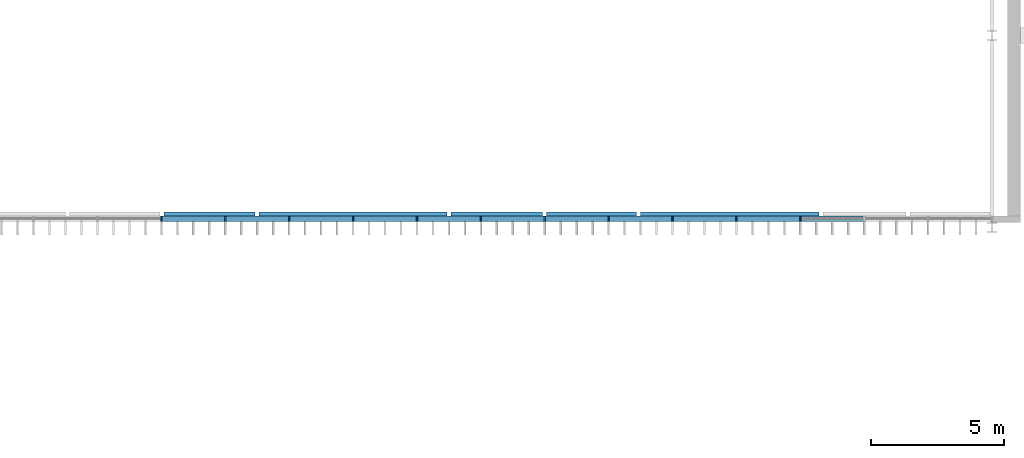
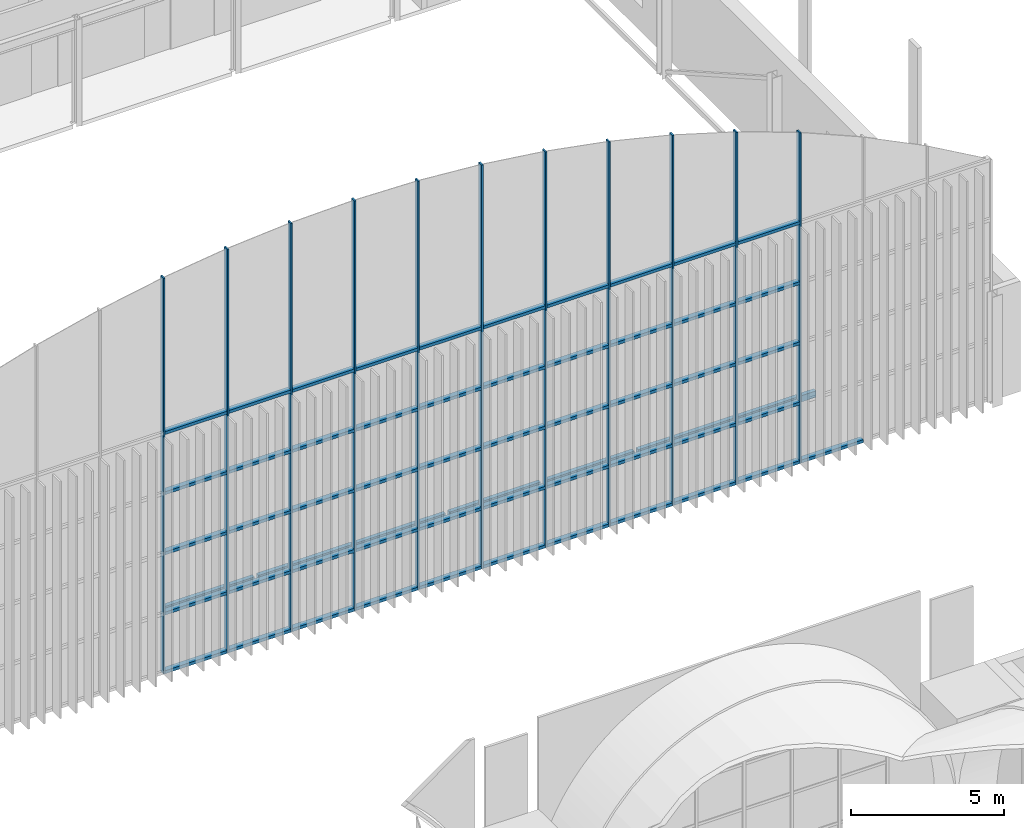
# One storey, part 57 of 169: 62 members, 5 beams, 1 element without a shape of its own.
"""IFC4 building model written with IfcOpenShell, lengths in metres."""

from ifc_helpers import new_model, si_unit, direction, frame, origin, origin_2d, place, context, subcontext, project, spatial, rectangle, hollow_rectangle, extrude, material, layer, layer_set, material_profile, profile_set, type_object, element, aggregate, save


model = new_model("IFC4")

# Units and contexts
model_context = context("Model", 3, precision=1e-05, world=origin(), true_north=direction((0.0, 1.0)))
body_context = subcontext(model_context, "Body", "Model", "MODEL_VIEW")
ifc_project = project(units=[si_unit("LENGTHUNIT", "METRE"), si_unit("AREAUNIT", "SQUARE_METRE"), si_unit("VOLUMEUNIT", "CUBIC_METRE"), si_unit("PLANEANGLEUNIT", "RADIAN"), si_unit("MASSUNIT", "GRAM", prefix="KILO")], contexts=[model_context])

# Site, building, storey
site_placement = place(None, origin())
site = spatial("IfcSite", under=ifc_project, at=site_placement, CompositionType="ELEMENT")
building_placement = place(site_placement, origin())
building = spatial("IfcBuilding", under=site, at=building_placement, Name="Verrick Yard Athletic Hall", CompositionType="ELEMENT")
storey_placement = place(building_placement, frame((0.0, 0.0, 4.39990234375)))
storey = spatial("IfcBuildingStorey", under=building, at=storey_placement, Name="L01", CompositionType="ELEMENT", Elevation=4.39990234375)

# Curtain wall, members
ifc_material_1 = material(Name="Anodised aluminium", Category="aluminium")
ifc_layer = layer(ifc_material_1, 0.199951171875)
ifc_layer_set = layer_set([ifc_layer], Name="Gable glazing")
curtain_wall_type = type_object("IfcCurtainWallType", Name="Gable glazing", PredefinedType="NOTDEFINED", material=ifc_layer_set)
curtain_wall_placement = place(storey_placement, origin())
curtain_wall = element("IfcCurtainWall", 1, at=curtain_wall_placement, inside=storey, type_object=curtain_wall_type, Name="Gable curtain wall AS", PredefinedType="NOTDEFINED")
ifc_material_profile_1 = material_profile(ifc_material_1, rectangle(XDim=0.199951171875, YDim=0.06005859375, at=origin_2d()), Name="CW gable mullion 60x200")
ifc_profile_set_1 = profile_set([ifc_material_profile_1], Name="Anodised aluminium")
member_type_1 = type_object("IfcMemberType", Name="Gable glazing mullion 60x200", PredefinedType="MULLION", material=ifc_profile_set_1)
member_1_placement = place(storey_placement, frame((138.39990234375, 72.318359375, 0.0), z_axis=(0.0, 0.0, 1.0), x_axis=(0.0, 1.0, 0.0)))
member_1 = element("IfcMember", 2, at=member_1_placement, type_object=member_type_1, Name="ENVB-HAS-CW/M07", PredefinedType="MULLION", context=body_context, shape_type="SweptSolid", body=[
    extrude(rectangle(XDim=0.199951171875, YDim=0.06005859375, at=origin_2d()), origin(), (0.0, 0.0, 1.0), 15.790283203125),
])
member_2_placement = place(storey_placement, frame((140.800048828125, 72.318359375, 0.0), z_axis=(0.0, 0.0, 1.0), x_axis=(0.0, 1.0, 0.0)))
member_2 = element("IfcMember", 3, at=member_2_placement, type_object=member_type_1, Name="ENVB-HAS-CW/M08", PredefinedType="MULLION", context=body_context, shape_type="SweptSolid", body=[
    extrude(rectangle(XDim=0.199951171875, YDim=0.06005859375, at=origin_2d()), origin(), (0.0, 0.0, 1.0), 16.106201171875),
])
member_3_placement = place(storey_placement, frame((143.199951171875, 72.318359375, 0.0), z_axis=(0.0, 0.0, 1.0), x_axis=(0.0, 1.0, 0.0)))
member_3 = element("IfcMember", 4, at=member_3_placement, type_object=member_type_1, Name="ENVB-HAS-CW/M09", PredefinedType="MULLION", context=body_context, shape_type="SweptSolid", body=[
    extrude(rectangle(XDim=0.199951171875, YDim=0.06005859375, at=origin_2d()), origin(), (0.0, 0.0, 1.0), 16.294677734375),
])
member_4_placement = place(storey_placement, frame((145.60009765625, 72.318359375, 0.0), z_axis=(0.0, 0.0, 1.0), x_axis=(0.0, 1.0, 0.0)))
member_4 = element("IfcMember", 5, at=member_4_placement, type_object=member_type_1, Name="ENVB-HAS-CW/M10", PredefinedType="MULLION", context=body_context, shape_type="SweptSolid", body=[
    extrude(rectangle(XDim=0.199951171875, YDim=0.06005859375, at=origin_2d()), origin(), (0.0, 0.0, 1.0), 16.357177734375),
])
member_5_placement = place(storey_placement, frame((148.0, 72.318359375, 0.0), z_axis=(0.0, 0.0, 1.0), x_axis=(0.0, 1.0, 0.0)))
member_5 = element("IfcMember", 6, at=member_5_placement, type_object=member_type_1, Name="ENVB-HAS-CW/M11", PredefinedType="MULLION", context=body_context, shape_type="SweptSolid", body=[
    extrude(rectangle(XDim=0.199951171875, YDim=0.06005859375, at=origin_2d()), origin(), (0.0, 0.0, 1.0), 16.294677734375),
])
member_6_placement = place(storey_placement, frame((150.39990234375, 72.318359375, 0.0), z_axis=(0.0, 0.0, 1.0), x_axis=(0.0, 1.0, 0.0)))
member_6 = element("IfcMember", 7, at=member_6_placement, type_object=member_type_1, Name="ENVB-HAS-CW/M12", PredefinedType="MULLION", context=body_context, shape_type="SweptSolid", body=[
    extrude(rectangle(XDim=0.199951171875, YDim=0.06005859375, at=origin_2d()), origin(), (0.0, 0.0, 1.0), 16.106201171875),
])
member_7_placement = place(storey_placement, frame((152.800048828125, 72.318359375, 0.0), z_axis=(0.0, 0.0, 1.0), x_axis=(0.0, 1.0, 0.0)))
member_7 = element("IfcMember", 8, at=member_7_placement, type_object=member_type_1, Name="ENVB-HAS-CW/M13", PredefinedType="MULLION", context=body_context, shape_type="SweptSolid", body=[
    extrude(rectangle(XDim=0.199951171875, YDim=0.06005859375, at=origin_2d()), origin(), (0.0, 0.0, 1.0), 15.790283203125),
])
member_8_placement = place(storey_placement, frame((155.199951171875, 72.318359375, 0.0), z_axis=(0.0, 0.0, 1.0), x_axis=(0.0, 1.0, 0.0)))
member_8 = element("IfcMember", 9, at=member_8_placement, type_object=member_type_1, Name="ENVB-HAS-CW/M14", PredefinedType="MULLION", context=body_context, shape_type="SweptSolid", body=[
    extrude(rectangle(XDim=0.199951171875, YDim=0.06005859375, at=origin_2d()), origin(), (0.0, 0.0, 1.0), 15.344482421875),
])
member_9_placement = place(storey_placement, frame((157.60009765625, 72.318359375, 0.0), z_axis=(0.0, 0.0, 1.0), x_axis=(0.0, 1.0, 0.0)))
member_9 = element("IfcMember", 10, at=member_9_placement, type_object=member_type_1, Name="ENVB-HAS-CW/M15", PredefinedType="MULLION", context=body_context, shape_type="SweptSolid", body=[
    extrude(rectangle(XDim=0.199951171875, YDim=0.06005859375, at=origin_2d()), origin(), (0.0, 0.0, 1.0), 14.764404296875),
])
member_10_placement = place(storey_placement, frame((160.0, 72.318359375, 0.0), z_axis=(0.0, 0.0, 1.0), x_axis=(0.0, 1.0, 0.0)))
member_10 = element("IfcMember", 11, at=member_10_placement, type_object=member_type_1, Name="ENVB-HAS-CW/M16", PredefinedType="MULLION", context=body_context, shape_type="SweptSolid", body=[
    extrude(rectangle(XDim=0.199951171875, YDim=0.06005859375, at=origin_2d()), origin(), (0.0, 0.0, 1.0), 14.045166015625),
])
member_11_placement = place(storey_placement, frame((162.39990234375, 72.318359375, 0.0), z_axis=(0.0, 0.0, 1.0), x_axis=(0.0, 1.0, 0.0)))
member_11 = element("IfcMember", 12, at=member_11_placement, type_object=member_type_1, Name="ENVB-HAS-CW/M17", PredefinedType="MULLION", context=body_context, shape_type="SweptSolid", body=[
    extrude(rectangle(XDim=0.199951171875, YDim=0.06005859375, at=origin_2d()), origin(), (0.0, 0.0, 1.0), 13.1796875),
])
ifc_material_profile_2 = material_profile(ifc_material_1, rectangle(XDim=0.199951171875, YDim=0.1201171875, at=origin_2d()), Name="CW gable transom 200x120")
ifc_profile_set_2 = profile_set([ifc_material_profile_2], Name="Anodised aluminium")
member_type_2 = type_object("IfcMemberType", Name="Gable glazing transom 200x120", PredefinedType="USERDEFINED", material=ifc_profile_set_2)
member_12_placement = place(storey_placement, frame((138.429931640625, 72.318359375, 0.06005859375), z_axis=(1.0, 0.0, 0.0), x_axis=(0.0, 1.0, 0.0)))
member_12 = element("IfcMember", 13, at=member_12_placement, type_object=member_type_2, Name="ENVB-HAS-CW/T07-00", ObjectType="TRANSOM", PredefinedType="USERDEFINED", context=body_context, shape_type="SweptSolid", body=[
    extrude(rectangle(XDim=0.199951171875, YDim=0.1201171875, at=origin_2d()), origin(), (0.0, 0.0, 1.0), 2.340087890625),
])
member_13_placement = place(storey_placement, frame((138.429931640625, 72.318359375, 2.400146484375), z_axis=(1.0, 0.0, 0.0), x_axis=(0.0, 1.0, 0.0)))
member_13 = element("IfcMember", 14, at=member_13_placement, type_object=member_type_2, Name="ENVB-HAS-CW/T07-01", ObjectType="TRANSOM", PredefinedType="USERDEFINED", context=body_context, shape_type="SweptSolid", body=[
    extrude(rectangle(XDim=0.199951171875, YDim=0.1201171875, at=origin_2d()), origin(), (0.0, 0.0, 1.0), 2.340087890625),
])
member_14_placement = place(storey_placement, frame((138.429931640625, 72.318359375, 4.800048828125), z_axis=(1.0, 0.0, 0.0), x_axis=(0.0, 1.0, 0.0)))
member_14 = element("IfcMember", 15, at=member_14_placement, type_object=member_type_2, Name="ENVB-HAS-CW/T07-02", ObjectType="TRANSOM", PredefinedType="USERDEFINED", context=body_context, shape_type="SweptSolid", body=[
    extrude(rectangle(XDim=0.199951171875, YDim=0.1201171875, at=origin_2d()), origin(), (0.0, 0.0, 1.0), 2.340087890625),
])
member_15_placement = place(storey_placement, frame((138.429931640625, 72.318359375, 7.2001953125), z_axis=(1.0, 0.0, 0.0), x_axis=(0.0, 1.0, 0.0)))
member_15 = element("IfcMember", 16, at=member_15_placement, type_object=member_type_2, Name="ENVB-HAS-CW/T07-03", ObjectType="TRANSOM", PredefinedType="USERDEFINED", context=body_context, shape_type="SweptSolid", body=[
    extrude(rectangle(XDim=0.199951171875, YDim=0.1201171875, at=origin_2d()), origin(), (0.0, 0.0, 1.0), 2.340087890625),
])
member_16_placement = place(storey_placement, frame((138.429931640625, 72.318359375, 9.60009765625), z_axis=(1.0, 0.0, 0.0), x_axis=(0.0, 1.0, 0.0)))
member_16 = element("IfcMember", 17, at=member_16_placement, type_object=member_type_2, Name="ENVB-HAS-CW/T07-04", ObjectType="TRANSOM", PredefinedType="USERDEFINED", context=body_context, shape_type="SweptSolid", body=[
    extrude(rectangle(XDim=0.199951171875, YDim=0.1201171875, at=origin_2d()), origin(), (0.0, 0.0, 1.0), 2.340087890625),
])
member_17_placement = place(storey_placement, frame((140.830078125, 72.318359375, 0.06005859375), z_axis=(1.0, 0.0, 0.0), x_axis=(0.0, 1.0, 0.0)))
member_17 = element("IfcMember", 18, at=member_17_placement, type_object=member_type_2, Name="ENVB-HAS-CW/T08-00", ObjectType="TRANSOM", PredefinedType="USERDEFINED", context=body_context, shape_type="SweptSolid", body=[
    extrude(rectangle(XDim=0.199951171875, YDim=0.1201171875, at=origin_2d()), origin(), (0.0, 0.0, 1.0), 2.33984375),
])
member_18_placement = place(storey_placement, frame((140.830078125, 72.318359375, 2.400146484375), z_axis=(1.0, 0.0, 0.0), x_axis=(0.0, 1.0, 0.0)))
member_18 = element("IfcMember", 19, at=member_18_placement, type_object=member_type_2, Name="ENVB-HAS-CW/T08-01", ObjectType="TRANSOM", PredefinedType="USERDEFINED", context=body_context, shape_type="SweptSolid", body=[
    extrude(rectangle(XDim=0.199951171875, YDim=0.1201171875, at=origin_2d()), origin(), (0.0, 0.0, 1.0), 2.33984375),
])
member_19_placement = place(storey_placement, frame((140.830078125, 72.318359375, 4.800048828125), z_axis=(1.0, 0.0, 0.0), x_axis=(0.0, 1.0, 0.0)))
member_19 = element("IfcMember", 20, at=member_19_placement, type_object=member_type_2, Name="ENVB-HAS-CW/T08-02", ObjectType="TRANSOM", PredefinedType="USERDEFINED", context=body_context, shape_type="SweptSolid", body=[
    extrude(rectangle(XDim=0.199951171875, YDim=0.1201171875, at=origin_2d()), origin(), (0.0, 0.0, 1.0), 2.33984375),
])
member_20_placement = place(storey_placement, frame((140.830078125, 72.318359375, 7.2001953125), z_axis=(1.0, 0.0, 0.0), x_axis=(0.0, 1.0, 0.0)))
member_20 = element("IfcMember", 21, at=member_20_placement, type_object=member_type_2, Name="ENVB-HAS-CW/T08-03", ObjectType="TRANSOM", PredefinedType="USERDEFINED", context=body_context, shape_type="SweptSolid", body=[
    extrude(rectangle(XDim=0.199951171875, YDim=0.1201171875, at=origin_2d()), origin(), (0.0, 0.0, 1.0), 2.33984375),
])
member_21_placement = place(storey_placement, frame((140.830078125, 72.318359375, 9.60009765625), z_axis=(1.0, 0.0, 0.0), x_axis=(0.0, 1.0, 0.0)))
member_21 = element("IfcMember", 22, at=member_21_placement, type_object=member_type_2, Name="ENVB-HAS-CW/T08-04", ObjectType="TRANSOM", PredefinedType="USERDEFINED", context=body_context, shape_type="SweptSolid", body=[
    extrude(rectangle(XDim=0.199951171875, YDim=0.1201171875, at=origin_2d()), origin(), (0.0, 0.0, 1.0), 2.33984375),
])
member_22_placement = place(storey_placement, frame((143.22998046875, 72.318359375, 0.06005859375), z_axis=(1.0, 0.0, 0.0), x_axis=(0.0, 1.0, 0.0)))
member_22 = element("IfcMember", 23, at=member_22_placement, type_object=member_type_2, Name="ENVB-HAS-CW/T09-00", ObjectType="TRANSOM", PredefinedType="USERDEFINED", context=body_context, shape_type="SweptSolid", body=[
    extrude(rectangle(XDim=0.199951171875, YDim=0.1201171875, at=origin_2d()), origin(), (0.0, 0.0, 1.0), 2.340087890625),
])
member_23_placement = place(storey_placement, frame((143.22998046875, 72.318359375, 2.400146484375), z_axis=(1.0, 0.0, 0.0), x_axis=(0.0, 1.0, 0.0)))
member_23 = element("IfcMember", 24, at=member_23_placement, type_object=member_type_2, Name="ENVB-HAS-CW/T09-01", ObjectType="TRANSOM", PredefinedType="USERDEFINED", context=body_context, shape_type="SweptSolid", body=[
    extrude(rectangle(XDim=0.199951171875, YDim=0.1201171875, at=origin_2d()), origin(), (0.0, 0.0, 1.0), 2.340087890625),
])
member_24_placement = place(storey_placement, frame((143.22998046875, 72.318359375, 4.800048828125), z_axis=(1.0, 0.0, 0.0), x_axis=(0.0, 1.0, 0.0)))
member_24 = element("IfcMember", 25, at=member_24_placement, type_object=member_type_2, Name="ENVB-HAS-CW/T09-02", ObjectType="TRANSOM", PredefinedType="USERDEFINED", context=body_context, shape_type="SweptSolid", body=[
    extrude(rectangle(XDim=0.199951171875, YDim=0.1201171875, at=origin_2d()), origin(), (0.0, 0.0, 1.0), 2.340087890625),
])
member_25_placement = place(storey_placement, frame((143.22998046875, 72.318359375, 7.2001953125), z_axis=(1.0, 0.0, 0.0), x_axis=(0.0, 1.0, 0.0)))
member_25 = element("IfcMember", 26, at=member_25_placement, type_object=member_type_2, Name="ENVB-HAS-CW/T09-03", ObjectType="TRANSOM", PredefinedType="USERDEFINED", context=body_context, shape_type="SweptSolid", body=[
    extrude(rectangle(XDim=0.199951171875, YDim=0.1201171875, at=origin_2d()), origin(), (0.0, 0.0, 1.0), 2.340087890625),
])
member_26_placement = place(storey_placement, frame((143.22998046875, 72.318359375, 9.60009765625), z_axis=(1.0, 0.0, 0.0), x_axis=(0.0, 1.0, 0.0)))
member_26 = element("IfcMember", 27, at=member_26_placement, type_object=member_type_2, Name="ENVB-HAS-CW/T09-04", ObjectType="TRANSOM", PredefinedType="USERDEFINED", context=body_context, shape_type="SweptSolid", body=[
    extrude(rectangle(XDim=0.199951171875, YDim=0.1201171875, at=origin_2d()), origin(), (0.0, 0.0, 1.0), 2.340087890625),
])
member_27_placement = place(storey_placement, frame((145.6298828125, 72.318359375, 0.06005859375), z_axis=(1.0, 0.0, 0.0), x_axis=(0.0, 1.0, 0.0)))
member_27 = element("IfcMember", 28, at=member_27_placement, type_object=member_type_2, Name="ENVB-HAS-CW/T10-00", ObjectType="TRANSOM", PredefinedType="USERDEFINED", context=body_context, shape_type="SweptSolid", body=[
    extrude(rectangle(XDim=0.199951171875, YDim=0.1201171875, at=origin_2d()), origin(), (0.0, 0.0, 1.0), 2.340087890625),
])
member_28_placement = place(storey_placement, frame((145.6298828125, 72.318359375, 2.400146484375), z_axis=(1.0, 0.0, 0.0), x_axis=(0.0, 1.0, 0.0)))
member_28 = element("IfcMember", 29, at=member_28_placement, type_object=member_type_2, Name="ENVB-HAS-CW/T10-01", ObjectType="TRANSOM", PredefinedType="USERDEFINED", context=body_context, shape_type="SweptSolid", body=[
    extrude(rectangle(XDim=0.199951171875, YDim=0.1201171875, at=origin_2d()), origin(), (0.0, 0.0, 1.0), 2.340087890625),
])
member_29_placement = place(storey_placement, frame((145.6298828125, 72.318359375, 4.800048828125), z_axis=(1.0, 0.0, 0.0), x_axis=(0.0, 1.0, 0.0)))
member_29 = element("IfcMember", 30, at=member_29_placement, type_object=member_type_2, Name="ENVB-HAS-CW/T10-02", ObjectType="TRANSOM", PredefinedType="USERDEFINED", context=body_context, shape_type="SweptSolid", body=[
    extrude(rectangle(XDim=0.199951171875, YDim=0.1201171875, at=origin_2d()), origin(), (0.0, 0.0, 1.0), 2.340087890625),
])
member_30_placement = place(storey_placement, frame((145.6298828125, 72.318359375, 7.2001953125), z_axis=(1.0, 0.0, 0.0), x_axis=(0.0, 1.0, 0.0)))
member_30 = element("IfcMember", 31, at=member_30_placement, type_object=member_type_2, Name="ENVB-HAS-CW/T10-03", ObjectType="TRANSOM", PredefinedType="USERDEFINED", context=body_context, shape_type="SweptSolid", body=[
    extrude(rectangle(XDim=0.199951171875, YDim=0.1201171875, at=origin_2d()), origin(), (0.0, 0.0, 1.0), 2.340087890625),
])
member_31_placement = place(storey_placement, frame((145.6298828125, 72.318359375, 9.60009765625), z_axis=(1.0, 0.0, 0.0), x_axis=(0.0, 1.0, 0.0)))
member_31 = element("IfcMember", 32, at=member_31_placement, type_object=member_type_2, Name="ENVB-HAS-CW/T10-04", ObjectType="TRANSOM", PredefinedType="USERDEFINED", context=body_context, shape_type="SweptSolid", body=[
    extrude(rectangle(XDim=0.199951171875, YDim=0.1201171875, at=origin_2d()), origin(), (0.0, 0.0, 1.0), 2.340087890625),
])
member_32_placement = place(storey_placement, frame((148.030029296875, 72.318359375, 0.06005859375), z_axis=(1.0, 0.0, 0.0), x_axis=(0.0, 1.0, 0.0)))
member_32 = element("IfcMember", 33, at=member_32_placement, type_object=member_type_2, Name="ENVB-HAS-CW/T11-00", ObjectType="TRANSOM", PredefinedType="USERDEFINED", context=body_context, shape_type="SweptSolid", body=[
    extrude(rectangle(XDim=0.199951171875, YDim=0.1201171875, at=origin_2d()), origin(), (0.0, 0.0, 1.0), 2.340087890625),
])
member_33_placement = place(storey_placement, frame((148.030029296875, 72.318359375, 2.400146484375), z_axis=(1.0, 0.0, 0.0), x_axis=(0.0, 1.0, 0.0)))
member_33 = element("IfcMember", 34, at=member_33_placement, type_object=member_type_2, Name="ENVB-HAS-CW/T11-01", ObjectType="TRANSOM", PredefinedType="USERDEFINED", context=body_context, shape_type="SweptSolid", body=[
    extrude(rectangle(XDim=0.199951171875, YDim=0.1201171875, at=origin_2d()), origin(), (0.0, 0.0, 1.0), 2.340087890625),
])
member_34_placement = place(storey_placement, frame((148.030029296875, 72.318359375, 4.800048828125), z_axis=(1.0, 0.0, 0.0), x_axis=(0.0, 1.0, 0.0)))
member_34 = element("IfcMember", 35, at=member_34_placement, type_object=member_type_2, Name="ENVB-HAS-CW/T11-02", ObjectType="TRANSOM", PredefinedType="USERDEFINED", context=body_context, shape_type="SweptSolid", body=[
    extrude(rectangle(XDim=0.199951171875, YDim=0.1201171875, at=origin_2d()), origin(), (0.0, 0.0, 1.0), 2.340087890625),
])
member_35_placement = place(storey_placement, frame((148.030029296875, 72.318359375, 7.2001953125), z_axis=(1.0, 0.0, 0.0), x_axis=(0.0, 1.0, 0.0)))
member_35 = element("IfcMember", 36, at=member_35_placement, type_object=member_type_2, Name="ENVB-HAS-CW/T11-03", ObjectType="TRANSOM", PredefinedType="USERDEFINED", context=body_context, shape_type="SweptSolid", body=[
    extrude(rectangle(XDim=0.199951171875, YDim=0.1201171875, at=origin_2d()), origin(), (0.0, 0.0, 1.0), 2.340087890625),
])
member_36_placement = place(storey_placement, frame((148.030029296875, 72.318359375, 9.60009765625), z_axis=(1.0, 0.0, 0.0), x_axis=(0.0, 1.0, 0.0)))
member_36 = element("IfcMember", 37, at=member_36_placement, type_object=member_type_2, Name="ENVB-HAS-CW/T11-04", ObjectType="TRANSOM", PredefinedType="USERDEFINED", context=body_context, shape_type="SweptSolid", body=[
    extrude(rectangle(XDim=0.199951171875, YDim=0.1201171875, at=origin_2d()), origin(), (0.0, 0.0, 1.0), 2.340087890625),
])
member_37_placement = place(storey_placement, frame((150.429931640625, 72.318359375, 0.06005859375), z_axis=(1.0, 0.0, 0.0), x_axis=(0.0, 1.0, 0.0)))
member_37 = element("IfcMember", 38, at=member_37_placement, type_object=member_type_2, Name="ENVB-HAS-CW/T12-00", ObjectType="TRANSOM", PredefinedType="USERDEFINED", context=body_context, shape_type="SweptSolid", body=[
    extrude(rectangle(XDim=0.199951171875, YDim=0.1201171875, at=origin_2d()), origin(), (0.0, 0.0, 1.0), 2.340087890625),
])
member_38_placement = place(storey_placement, frame((150.429931640625, 72.318359375, 2.400146484375), z_axis=(1.0, 0.0, 0.0), x_axis=(0.0, 1.0, 0.0)))
member_38 = element("IfcMember", 39, at=member_38_placement, type_object=member_type_2, Name="ENVB-HAS-CW/T12-01", ObjectType="TRANSOM", PredefinedType="USERDEFINED", context=body_context, shape_type="SweptSolid", body=[
    extrude(rectangle(XDim=0.199951171875, YDim=0.1201171875, at=origin_2d()), origin(), (0.0, 0.0, 1.0), 2.340087890625),
])
member_39_placement = place(storey_placement, frame((150.429931640625, 72.318359375, 4.800048828125), z_axis=(1.0, 0.0, 0.0), x_axis=(0.0, 1.0, 0.0)))
member_39 = element("IfcMember", 40, at=member_39_placement, type_object=member_type_2, Name="ENVB-HAS-CW/T12-02", ObjectType="TRANSOM", PredefinedType="USERDEFINED", context=body_context, shape_type="SweptSolid", body=[
    extrude(rectangle(XDim=0.199951171875, YDim=0.1201171875, at=origin_2d()), origin(), (0.0, 0.0, 1.0), 2.340087890625),
])
member_40_placement = place(storey_placement, frame((150.429931640625, 72.318359375, 7.2001953125), z_axis=(1.0, 0.0, 0.0), x_axis=(0.0, 1.0, 0.0)))
member_40 = element("IfcMember", 41, at=member_40_placement, type_object=member_type_2, Name="ENVB-HAS-CW/T12-03", ObjectType="TRANSOM", PredefinedType="USERDEFINED", context=body_context, shape_type="SweptSolid", body=[
    extrude(rectangle(XDim=0.199951171875, YDim=0.1201171875, at=origin_2d()), origin(), (0.0, 0.0, 1.0), 2.340087890625),
])
member_41_placement = place(storey_placement, frame((150.429931640625, 72.318359375, 9.60009765625), z_axis=(1.0, 0.0, 0.0), x_axis=(0.0, 1.0, 0.0)))
member_41 = element("IfcMember", 42, at=member_41_placement, type_object=member_type_2, Name="ENVB-HAS-CW/T12-04", ObjectType="TRANSOM", PredefinedType="USERDEFINED", context=body_context, shape_type="SweptSolid", body=[
    extrude(rectangle(XDim=0.199951171875, YDim=0.1201171875, at=origin_2d()), origin(), (0.0, 0.0, 1.0), 2.340087890625),
])
member_42_placement = place(storey_placement, frame((152.830078125, 72.318359375, 0.06005859375), z_axis=(1.0, 0.0, 0.0), x_axis=(0.0, 1.0, 0.0)))
member_42 = element("IfcMember", 43, at=member_42_placement, type_object=member_type_2, Name="ENVB-HAS-CW/T13-00", ObjectType="TRANSOM", PredefinedType="USERDEFINED", context=body_context, shape_type="SweptSolid", body=[
    extrude(rectangle(XDim=0.199951171875, YDim=0.1201171875, at=origin_2d()), origin(), (0.0, 0.0, 1.0), 2.33984375),
])
member_43_placement = place(storey_placement, frame((152.830078125, 72.318359375, 2.400146484375), z_axis=(1.0, 0.0, 0.0), x_axis=(0.0, 1.0, 0.0)))
member_43 = element("IfcMember", 44, at=member_43_placement, type_object=member_type_2, Name="ENVB-HAS-CW/T13-01", ObjectType="TRANSOM", PredefinedType="USERDEFINED", context=body_context, shape_type="SweptSolid", body=[
    extrude(rectangle(XDim=0.199951171875, YDim=0.1201171875, at=origin_2d()), origin(), (0.0, 0.0, 1.0), 2.33984375),
])
member_44_placement = place(storey_placement, frame((152.830078125, 72.318359375, 4.800048828125), z_axis=(1.0, 0.0, 0.0), x_axis=(0.0, 1.0, 0.0)))
member_44 = element("IfcMember", 45, at=member_44_placement, type_object=member_type_2, Name="ENVB-HAS-CW/T13-02", ObjectType="TRANSOM", PredefinedType="USERDEFINED", context=body_context, shape_type="SweptSolid", body=[
    extrude(rectangle(XDim=0.199951171875, YDim=0.1201171875, at=origin_2d()), origin(), (0.0, 0.0, 1.0), 2.33984375),
])
member_45_placement = place(storey_placement, frame((152.830078125, 72.318359375, 7.2001953125), z_axis=(1.0, 0.0, 0.0), x_axis=(0.0, 1.0, 0.0)))
member_45 = element("IfcMember", 46, at=member_45_placement, type_object=member_type_2, Name="ENVB-HAS-CW/T13-03", ObjectType="TRANSOM", PredefinedType="USERDEFINED", context=body_context, shape_type="SweptSolid", body=[
    extrude(rectangle(XDim=0.199951171875, YDim=0.1201171875, at=origin_2d()), origin(), (0.0, 0.0, 1.0), 2.33984375),
])
member_46_placement = place(storey_placement, frame((152.830078125, 72.318359375, 9.60009765625), z_axis=(1.0, 0.0, 0.0), x_axis=(0.0, 1.0, 0.0)))
member_46 = element("IfcMember", 47, at=member_46_placement, type_object=member_type_2, Name="ENVB-HAS-CW/T13-04", ObjectType="TRANSOM", PredefinedType="USERDEFINED", context=body_context, shape_type="SweptSolid", body=[
    extrude(rectangle(XDim=0.199951171875, YDim=0.1201171875, at=origin_2d()), origin(), (0.0, 0.0, 1.0), 2.33984375),
])
member_47_placement = place(storey_placement, frame((155.22998046875, 72.318359375, 0.06005859375), z_axis=(1.0, 0.0, 0.0), x_axis=(0.0, 1.0, 0.0)))
member_47 = element("IfcMember", 48, at=member_47_placement, type_object=member_type_2, Name="ENVB-HAS-CW/T14-00", ObjectType="TRANSOM", PredefinedType="USERDEFINED", context=body_context, shape_type="SweptSolid", body=[
    extrude(rectangle(XDim=0.199951171875, YDim=0.1201171875, at=origin_2d()), origin(), (0.0, 0.0, 1.0), 2.340087890625),
])
member_48_placement = place(storey_placement, frame((155.22998046875, 72.318359375, 2.400146484375), z_axis=(1.0, 0.0, 0.0), x_axis=(0.0, 1.0, 0.0)))
member_48 = element("IfcMember", 49, at=member_48_placement, type_object=member_type_2, Name="ENVB-HAS-CW/T14-01", ObjectType="TRANSOM", PredefinedType="USERDEFINED", context=body_context, shape_type="SweptSolid", body=[
    extrude(rectangle(XDim=0.199951171875, YDim=0.1201171875, at=origin_2d()), origin(), (0.0, 0.0, 1.0), 2.340087890625),
])
member_49_placement = place(storey_placement, frame((155.22998046875, 72.318359375, 4.800048828125), z_axis=(1.0, 0.0, 0.0), x_axis=(0.0, 1.0, 0.0)))
member_49 = element("IfcMember", 50, at=member_49_placement, type_object=member_type_2, Name="ENVB-HAS-CW/T14-02", ObjectType="TRANSOM", PredefinedType="USERDEFINED", context=body_context, shape_type="SweptSolid", body=[
    extrude(rectangle(XDim=0.199951171875, YDim=0.1201171875, at=origin_2d()), origin(), (0.0, 0.0, 1.0), 2.340087890625),
])
member_50_placement = place(storey_placement, frame((155.22998046875, 72.318359375, 7.2001953125), z_axis=(1.0, 0.0, 0.0), x_axis=(0.0, 1.0, 0.0)))
member_50 = element("IfcMember", 51, at=member_50_placement, type_object=member_type_2, Name="ENVB-HAS-CW/T14-03", ObjectType="TRANSOM", PredefinedType="USERDEFINED", context=body_context, shape_type="SweptSolid", body=[
    extrude(rectangle(XDim=0.199951171875, YDim=0.1201171875, at=origin_2d()), origin(), (0.0, 0.0, 1.0), 2.340087890625),
])
member_51_placement = place(storey_placement, frame((155.22998046875, 72.318359375, 9.60009765625), z_axis=(1.0, 0.0, 0.0), x_axis=(0.0, 1.0, 0.0)))
member_51 = element("IfcMember", 52, at=member_51_placement, type_object=member_type_2, Name="ENVB-HAS-CW/T14-04", ObjectType="TRANSOM", PredefinedType="USERDEFINED", context=body_context, shape_type="SweptSolid", body=[
    extrude(rectangle(XDim=0.199951171875, YDim=0.1201171875, at=origin_2d()), origin(), (0.0, 0.0, 1.0), 2.340087890625),
])
member_52_placement = place(storey_placement, frame((157.6298828125, 72.318359375, 0.06005859375), z_axis=(1.0, 0.0, 0.0), x_axis=(0.0, 1.0, 0.0)))
member_52 = element("IfcMember", 53, at=member_52_placement, type_object=member_type_2, Name="ENVB-HAS-CW/T15-00", ObjectType="TRANSOM", PredefinedType="USERDEFINED", context=body_context, shape_type="SweptSolid", body=[
    extrude(rectangle(XDim=0.199951171875, YDim=0.1201171875, at=origin_2d()), origin(), (0.0, 0.0, 1.0), 2.340087890625),
])
member_53_placement = place(storey_placement, frame((157.6298828125, 72.318359375, 2.400146484375), z_axis=(1.0, 0.0, 0.0), x_axis=(0.0, 1.0, 0.0)))
member_53 = element("IfcMember", 54, at=member_53_placement, type_object=member_type_2, Name="ENVB-HAS-CW/T15-01", ObjectType="TRANSOM", PredefinedType="USERDEFINED", context=body_context, shape_type="SweptSolid", body=[
    extrude(rectangle(XDim=0.199951171875, YDim=0.1201171875, at=origin_2d()), origin(), (0.0, 0.0, 1.0), 2.340087890625),
])
member_54_placement = place(storey_placement, frame((157.6298828125, 72.318359375, 4.800048828125), z_axis=(1.0, 0.0, 0.0), x_axis=(0.0, 1.0, 0.0)))
member_54 = element("IfcMember", 55, at=member_54_placement, type_object=member_type_2, Name="ENVB-HAS-CW/T15-02", ObjectType="TRANSOM", PredefinedType="USERDEFINED", context=body_context, shape_type="SweptSolid", body=[
    extrude(rectangle(XDim=0.199951171875, YDim=0.1201171875, at=origin_2d()), origin(), (0.0, 0.0, 1.0), 2.340087890625),
])
member_55_placement = place(storey_placement, frame((157.6298828125, 72.318359375, 7.2001953125), z_axis=(1.0, 0.0, 0.0), x_axis=(0.0, 1.0, 0.0)))
member_55 = element("IfcMember", 56, at=member_55_placement, type_object=member_type_2, Name="ENVB-HAS-CW/T15-03", ObjectType="TRANSOM", PredefinedType="USERDEFINED", context=body_context, shape_type="SweptSolid", body=[
    extrude(rectangle(XDim=0.199951171875, YDim=0.1201171875, at=origin_2d()), origin(), (0.0, 0.0, 1.0), 2.340087890625),
])
member_56_placement = place(storey_placement, frame((157.6298828125, 72.318359375, 9.60009765625), z_axis=(1.0, 0.0, 0.0), x_axis=(0.0, 1.0, 0.0)))
member_56 = element("IfcMember", 57, at=member_56_placement, type_object=member_type_2, Name="ENVB-HAS-CW/T15-04", ObjectType="TRANSOM", PredefinedType="USERDEFINED", context=body_context, shape_type="SweptSolid", body=[
    extrude(rectangle(XDim=0.199951171875, YDim=0.1201171875, at=origin_2d()), origin(), (0.0, 0.0, 1.0), 2.340087890625),
])
member_57_placement = place(storey_placement, frame((160.030029296875, 72.318359375, 0.06005859375), z_axis=(1.0, 0.0, 0.0), x_axis=(0.0, 1.0, 0.0)))
member_57 = element("IfcMember", 58, at=member_57_placement, type_object=member_type_2, Name="ENVB-HAS-CW/T16-00", ObjectType="TRANSOM", PredefinedType="USERDEFINED", context=body_context, shape_type="SweptSolid", body=[
    extrude(rectangle(XDim=0.199951171875, YDim=0.1201171875, at=origin_2d()), origin(), (0.0, 0.0, 1.0), 2.340087890625),
])
member_58_placement = place(storey_placement, frame((160.030029296875, 72.318359375, 2.400146484375), z_axis=(1.0, 0.0, 0.0), x_axis=(0.0, 1.0, 0.0)))
member_58 = element("IfcMember", 59, at=member_58_placement, type_object=member_type_2, Name="ENVB-HAS-CW/T16-01", ObjectType="TRANSOM", PredefinedType="USERDEFINED", context=body_context, shape_type="SweptSolid", body=[
    extrude(rectangle(XDim=0.199951171875, YDim=0.1201171875, at=origin_2d()), origin(), (0.0, 0.0, 1.0), 2.340087890625),
])
member_59_placement = place(storey_placement, frame((160.030029296875, 72.318359375, 4.800048828125), z_axis=(1.0, 0.0, 0.0), x_axis=(0.0, 1.0, 0.0)))
member_59 = element("IfcMember", 60, at=member_59_placement, type_object=member_type_2, Name="ENVB-HAS-CW/T16-02", ObjectType="TRANSOM", PredefinedType="USERDEFINED", context=body_context, shape_type="SweptSolid", body=[
    extrude(rectangle(XDim=0.199951171875, YDim=0.1201171875, at=origin_2d()), origin(), (0.0, 0.0, 1.0), 2.340087890625),
])
member_60_placement = place(storey_placement, frame((160.030029296875, 72.318359375, 7.2001953125), z_axis=(1.0, 0.0, 0.0), x_axis=(0.0, 1.0, 0.0)))
member_60 = element("IfcMember", 61, at=member_60_placement, type_object=member_type_2, Name="ENVB-HAS-CW/T16-03", ObjectType="TRANSOM", PredefinedType="USERDEFINED", context=body_context, shape_type="SweptSolid", body=[
    extrude(rectangle(XDim=0.199951171875, YDim=0.1201171875, at=origin_2d()), origin(), (0.0, 0.0, 1.0), 2.340087890625),
])
member_61_placement = place(storey_placement, frame((160.030029296875, 72.318359375, 9.60009765625), z_axis=(1.0, 0.0, 0.0), x_axis=(0.0, 1.0, 0.0)))
member_61 = element("IfcMember", 62, at=member_61_placement, type_object=member_type_2, Name="ENVB-HAS-CW/T16-04", ObjectType="TRANSOM", PredefinedType="USERDEFINED", context=body_context, shape_type="SweptSolid", body=[
    extrude(rectangle(XDim=0.199951171875, YDim=0.1201171875, at=origin_2d()), origin(), (0.0, 0.0, 1.0), 2.340087890625),
])
member_62_placement = place(storey_placement, frame((162.429931640625, 72.318359375, 0.06005859375), z_axis=(1.0, 0.0, 0.0), x_axis=(0.0, 1.0, 0.0)))
member_62 = element("IfcMember", 63, at=member_62_placement, type_object=member_type_2, Name="ENVB-HAS-CW/T17-00", ObjectType="TRANSOM", PredefinedType="USERDEFINED", context=body_context, shape_type="SweptSolid", body=[
    extrude(rectangle(XDim=0.199951171875, YDim=0.1201171875, at=origin_2d()), origin(), (0.0, 0.0, 1.0), 2.340087890625),
])
aggregate(curtain_wall, [member_1, member_2, member_3, member_4, member_5, member_6, member_7, member_8, member_9, member_10, member_11, member_12, member_13, member_14, member_15, member_16, member_17, member_18, member_19, member_20, member_21, member_22, member_23, member_24, member_25, member_26, member_27, member_28, member_29, member_30, member_31, member_32, member_33, member_34, member_35, member_36, member_37, member_38, member_39, member_40, member_41, member_42, member_43, member_44, member_45, member_46, member_47, member_48, member_49, member_50, member_51, member_52, member_53, member_54, member_55, member_56, member_57, member_58, member_59, member_60, member_61, member_62])

# Beams
ifc_material_2 = material(Name="Structural steel HSS Class C 350W (CSA G40.20/G40.21)", Category="steel")
ifc_material_profile_3 = material_profile(ifc_material_2, hollow_rectangle(XDim=0.15234375, YDim=0.25390625, WallThickness=0.009521484375, at=origin_2d()), Name="HSS254x152x9.5")
ifc_profile_set_3 = profile_set([ifc_material_profile_3], Name="Structural steel HSS Class C 350W (CSA G40.20/G40.21)")
beam_type = type_object("IfcBeamType", Name="HB wind girder HSS254x152x9.5", PredefinedType="BEAM", material=ifc_profile_set_3)
beam_1_placement = place(storey_placement, frame((138.49169921875, 72.49462890625, 2.400146484375), z_axis=(1.0, 0.0, 0.0), x_axis=(0.0, 1.0, 0.0)))
element("IfcBeam", 64, at=beam_1_placement, inside=storey, type_object=beam_type, Name="HB-WG-AS-68-5", PredefinedType="BEAM", context=body_context, shape_type="SweptSolid", body=[
    extrude(hollow_rectangle(XDim=0.15234375, YDim=0.25390625, WallThickness=0.009521484375, at=origin_2d()), origin(), (0.0, 0.0, 1.0), 3.4287109375),
])
beam_2_placement = place(storey_placement, frame((142.072998046875, 72.49462890625, 2.400146484375), z_axis=(1.0, 0.0, 0.0), x_axis=(0.0, 1.0, 0.0)))
element("IfcBeam", 65, at=beam_2_placement, inside=storey, type_object=beam_type, Name="HB-WG-AS-68-6", PredefinedType="BEAM", context=body_context, shape_type="SweptSolid", body=[
    extrude(hollow_rectangle(XDim=0.15234375, YDim=0.25390625, WallThickness=0.009521484375, at=origin_2d()), origin(), (0.0, 0.0, 1.0), 7.05419921875),
])
beam_3_placement = place(storey_placement, frame((149.279541015625, 72.49462890625, 2.400146484375), z_axis=(1.0, 0.0, 0.0), x_axis=(0.0, 1.0, 0.0)))
element("IfcBeam", 66, at=beam_3_placement, inside=storey, type_object=beam_type, Name="HB-WG-AS-68-7", PredefinedType="BEAM", context=body_context, shape_type="SweptSolid", body=[
    extrude(hollow_rectangle(XDim=0.15234375, YDim=0.25390625, WallThickness=0.009521484375, at=origin_2d()), origin(), (0.0, 0.0, 1.0), 3.4287109375),
])
beam_4_placement = place(storey_placement, frame((152.860595703125, 72.49462890625, 2.400146484375), z_axis=(1.0, 0.0, 0.0), x_axis=(0.0, 1.0, 0.0)))
element("IfcBeam", 67, at=beam_4_placement, inside=storey, type_object=beam_type, Name="HB-WG-AS-68-8", PredefinedType="BEAM", context=body_context, shape_type="SweptSolid", body=[
    extrude(hollow_rectangle(XDim=0.15234375, YDim=0.25390625, WallThickness=0.009521484375, at=origin_2d()), origin(), (0.0, 0.0, 1.0), 3.384521484375),
])
beam_5_placement = place(storey_placement, frame((156.397705078125, 72.49462890625, 2.400146484375), z_axis=(1.0, 0.0, 0.0), x_axis=(0.0, 1.0, 0.0)))
element("IfcBeam", 68, at=beam_5_placement, inside=storey, type_object=beam_type, Name="HB-WG-AS-68-9", PredefinedType="BEAM", context=body_context, shape_type="SweptSolid", body=[
    extrude(hollow_rectangle(XDim=0.15234375, YDim=0.25390625, WallThickness=0.009521484375, at=origin_2d()), origin(), (0.0, 0.0, 1.0), 6.702392578125),
])

save(model, "model.ifc")
